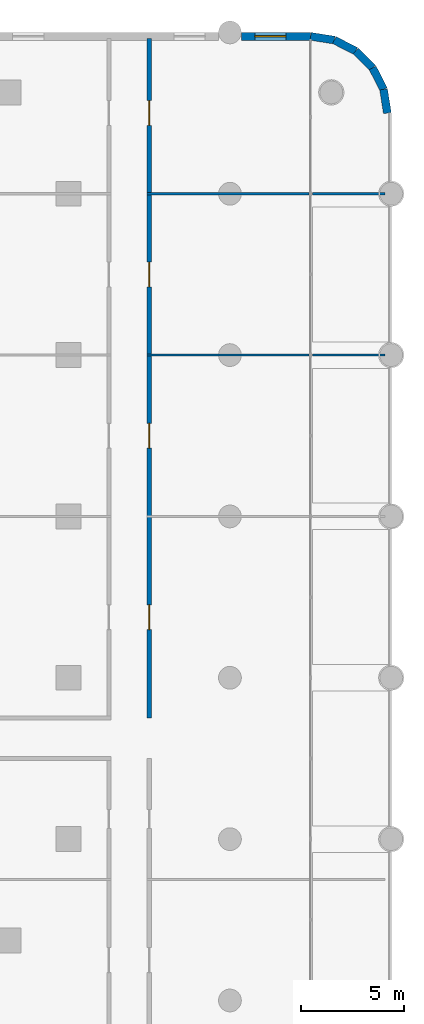
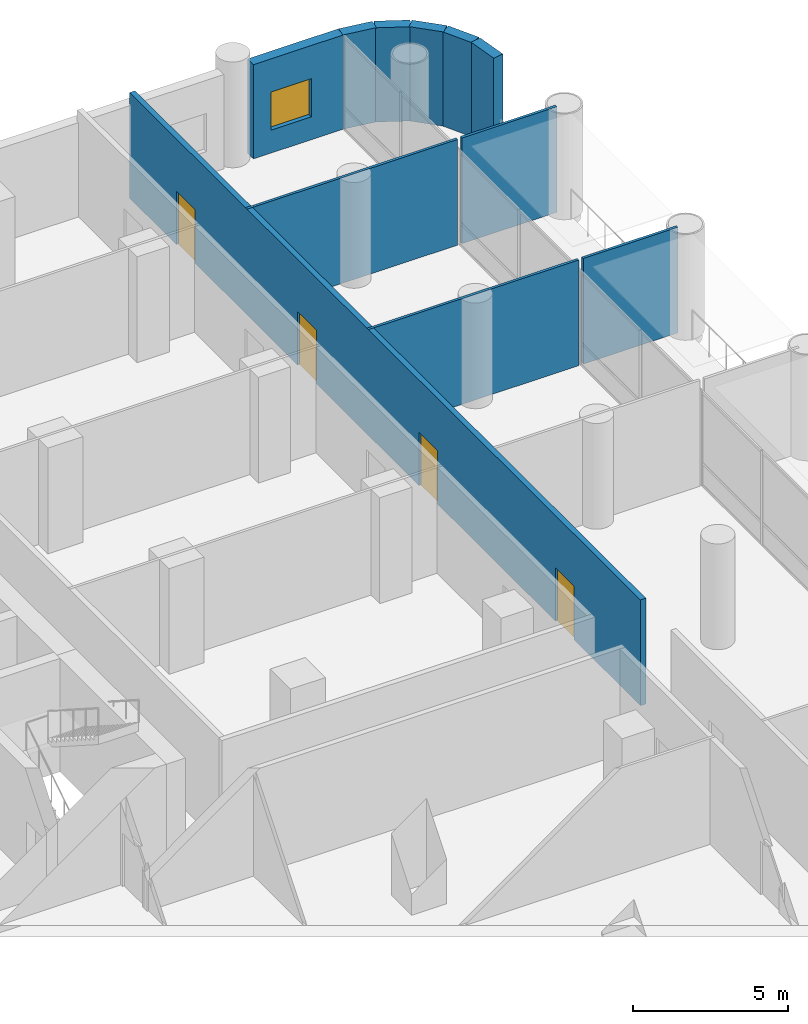
# One storey, part 15 of 23: 11 walls, 4 doors, 1 window, 5 openings.
"""IFC4 building model written with IfcOpenShell, lengths in metres."""

from ifc_helpers import new_model, si_unit, direction, frame, frame_2d, origin, place, context, subcontext, project, spatial, rectangle, extrude, material, layer, layer_set, type_object, element, fill, save


model = new_model("IFC4")

# Units and contexts
model_context = context("Model", 3, precision=1e-05, world=origin(), true_north=direction((0.0, 1.0)))
body_context = subcontext(model_context, "Body", "Model", "MODEL_VIEW")
ifc_project = project(units=[si_unit("LENGTHUNIT", "METRE"), si_unit("AREAUNIT", "SQUARE_METRE"), si_unit("VOLUMEUNIT", "CUBIC_METRE"), si_unit("PLANEANGLEUNIT", "RADIAN"), si_unit("MASSUNIT", "GRAM", prefix="KILO")], contexts=[model_context])

# Site, building, storey
site_placement = place(None, origin())
site = spatial("IfcSite", under=ifc_project, at=site_placement, CompositionType="ELEMENT")
building_placement = place(site_placement, origin())
building = spatial("IfcBuilding", under=site, at=building_placement, Name="Ludao Terraces", CompositionType="ELEMENT")
storey_placement = place(building_placement, frame((0.0, 0.0, 10.5)))
storey = spatial("IfcBuildingStorey", under=building, at=storey_placement, Name="L02", CompositionType="ELEMENT", Elevation=10.5)

# Wall, opening, window
ifc_material_1 = material(Name="Granite cladding", Category="masonry")
ifc_layer_1 = layer(ifc_material_1, 0.06005859375, Category="stone")
ifc_material_2 = material(Name="Mineral wool")
ifc_layer_2 = layer(ifc_material_2, 0.06005859375)
ifc_material_3 = material(Name="Concrete C40", Category="concrete")
ifc_layer_3 = layer(ifc_material_3, 0.260009765625, Category="concrete")
ifc_layer_set_1 = layer_set([ifc_layer_1, ifc_layer_2, ifc_layer_3], Name="ENV Stone-clad wall 380")
wall_type_1 = type_object("IfcWallType", Name="ENV Stone-clad wall 380", PredefinedType="SOLIDWALL", material=ifc_layer_set_1)
wall_1_placement = place(storey_placement, frame((116.75, 88.2099609375, 0.0), z_axis=(0.0, 0.0, 1.0), x_axis=(1.0, 0.0, 0.0)))
wall_1 = element("IfcWall", 1, at=wall_1_placement, inside=storey, type_object=wall_type_1, Name="EW-L02-N8", PredefinedType="SOLIDWALL", context=body_context, shape_type="SweptSolid", body=[
    extrude(rectangle(XDim=3.35009765625, YDim=0.3798828125, at=frame_2d((1.675048828125, 0.0))), origin(), (0.0, 0.0, 1.0), 3.699951171875),
])
opening_1_placement = place(wall_1_placement, frame((0.64990234375, 0.0, 0.89990234375)))
opening_1 = element("IfcOpeningElement", 2, at=opening_1_placement, cuts=wall_1, Name="Opening W5", PredefinedType="OPENING", context=body_context, shape_type="SweptSolid", body=[
    extrude(rectangle(XDim=1.5, YDim=1.5, at=frame_2d((0.75, 0.75))), frame((0.0, 0.199951171875, 0.0), z_axis=(0.0, -1.0, 0.0), x_axis=(1.0, 0.0, 0.0)), (0.0, 0.0, 1.0), 0.39990234375),
])
ifc_material_4 = material(Name="Clear glass in aluminium frame", Category="aluminium")
ifc_layer_4 = layer(ifc_material_4, 0.06005859375)
ifc_layer_set_2 = layer_set([ifc_layer_4], Name="ENV Window W5 1500x1500")
window_type = type_object("IfcWindowType", Name="ENV Window W5 1500x1500", PartitioningType="SINGLE_PANEL", PredefinedType="WINDOW", material=ifc_layer_set_2)
window_placement = place(opening_1_placement, origin())
window = element("IfcWindow", 3, at=window_placement, inside=storey, type_object=window_type, Name="W-L02-N8-1", OverallHeight=1.5, OverallWidth=1.5, PartitioningType="SINGLE_PANEL", PredefinedType="WINDOW", context=body_context, shape_type="SweptSolid", body=[
    extrude(rectangle(XDim=1.5, YDim=1.5, at=frame_2d((0.75, 0.75))), frame((0.0, 0.030029296875, 0.0), z_axis=(0.0, -1.0, 0.0), x_axis=(1.0, 0.0, 0.0)), (0.0, 0.0, 1.0), 0.06005859375),
])
fill(opening_1, window)

# Walls
wall_2_placement = place(storey_placement, frame((123.81005859375, 84.5, 0.0), z_axis=(0.0, 0.0, 1.0), x_axis=(-0.156480971952, 0.987680973502, 0.0)))
element("IfcWall", 4, at=wall_2_placement, inside=storey, type_object=wall_type_1, Name="EW-L02-NE1", PredefinedType="SOLIDWALL", context=body_context, shape_type="SweptSolid", body=[
    extrude(rectangle(XDim=1.160888671875, YDim=0.3798828125, at=frame_2d((0.58056640625, 0.0))), origin(), (0.0, 0.0, 1.0), 3.699951171875),
])
wall_3_placement = place(storey_placement, frame((123.62841796875, 85.646484375, 0.0), z_axis=(0.0, 0.0, 1.0), x_axis=(-0.453932083539, 0.891036286317, 0.0)))
element("IfcWall", 5, at=wall_3_placement, inside=storey, type_object=wall_type_1, Name="EW-L02-NE2", PredefinedType="SOLIDWALL", context=body_context, shape_type="SweptSolid", body=[
    extrude(rectangle(XDim=1.16064453125, YDim=0.3798828125, at=frame_2d((0.580322265625, 0.0))), origin(), (0.0, 0.0, 1.0), 3.699951171875),
])
for number, where, z_axis, x_axis, name in (
    (6, (123.1015625, 86.6806640625, 0.0), (0.0, 0.0, 1.0), (-0.707106781187, 0.707106781187, 0.0), "EW-L02-NE3"),
    (7, (122.28076171875, 87.50146484375, 0.0), (0.0, 0.0, 1.0), (-0.891079617357, 0.453847017762, 0.0), "EW-L02-NE4"),
):
    element("IfcWall", number, at=place(storey_placement, frame(where, z_axis=z_axis, x_axis=x_axis)), inside=storey, type_object=wall_type_1, Name=name, PredefinedType="SOLIDWALL", context=body_context, shape_type="SweptSolid", body=[
        extrude(rectangle(XDim=1.160888671875, YDim=0.3798828125, at=frame_2d((0.58056640625, 0.0))), origin(), (0.0, 0.0, 1.0), 3.699951171875),
    ])
wall_4_placement = place(storey_placement, frame((121.246337890625, 88.0283203125, 0.0), z_axis=(0.0, 0.0, 1.0), x_axis=(-0.987675821844, 0.156513484867, 0.0)))
element("IfcWall", 8, at=wall_4_placement, inside=storey, type_object=wall_type_1, Name="EW-L02-NE5", PredefinedType="SOLIDWALL", context=body_context, shape_type="SweptSolid", body=[
    extrude(rectangle(XDim=1.16064453125, YDim=0.3798828125, at=frame_2d((0.580322265625, 0.0))), origin(), (0.0, 0.0, 1.0), 3.699951171875),
])

# Wall, openings, doors
ifc_material_5 = material(Name="Autoclaved aerated concrete block B06 A3.5", Category="concrete")
ifc_layer_5 = layer(ifc_material_5, 0.199951171875)
ifc_layer_set_3 = layer_set([ifc_layer_5], Name="INT Entrance wall 200")
wall_type_2 = type_object("IfcWallType", Name="INT Entrance wall 200", PredefinedType="PARTITIONING", material=ifc_layer_set_3)
wall_5_placement = place(storey_placement, frame((112.300048828125, 55.25, 0.0), z_axis=(0.0, 0.0, 1.0), x_axis=(0.0, 1.0, 0.0)))
wall_5 = element("IfcWall", 9, at=wall_5_placement, inside=storey, type_object=wall_type_2, Name="PW-L02-PW075", PredefinedType="PARTITIONING", context=body_context, shape_type="SweptSolid", body=[
    extrude(rectangle(XDim=32.85009765625, YDim=0.199951171875, at=frame_2d((16.425048828125, 0.0))), origin(), (0.0, 0.0, 1.0), 4.14990234375),
])
opening_2_placement = place(wall_5_placement, frame((4.275146484375, 0.0, 0.0)))
opening_2 = element("IfcOpeningElement", 10, at=opening_2_placement, cuts=wall_5, Name="Opening L02-031", PredefinedType="OPENING", context=body_context, shape_type="SweptSolid", body=[
    extrude(rectangle(XDim=1.199951171875, YDim=2.10009765625, at=frame_2d((0.60009765625, 1.050048828125))), frame((0.0, 0.10986328125, 0.0), z_axis=(0.0, -1.0, 0.0), x_axis=(1.0, 0.0, 0.0)), (0.0, 0.0, 1.0), 0.219970703125),
])
opening_3_placement = place(wall_5_placement, frame((13.050048828125, 0.0, 0.0)))
opening_3 = element("IfcOpeningElement", 11, at=opening_3_placement, cuts=wall_5, Name="Opening L02-043", PredefinedType="OPENING", context=body_context, shape_type="SweptSolid", body=[
    extrude(rectangle(XDim=1.199951171875, YDim=2.10009765625, at=frame_2d((0.60009765625, 1.050048828125))), frame((0.0, 0.10986328125, 0.0), z_axis=(0.0, -1.0, 0.0), x_axis=(1.0, 0.0, 0.0)), (0.0, 0.0, 1.0), 0.219970703125),
])
opening_4_placement = place(wall_5_placement, frame((20.85009765625, 0.0, 0.0)))
opening_4 = element("IfcOpeningElement", 12, at=opening_4_placement, cuts=wall_5, Name="Opening L02-061", PredefinedType="OPENING", context=body_context, shape_type="SweptSolid", body=[
    extrude(rectangle(XDim=1.199951171875, YDim=2.10009765625, at=frame_2d((0.60009765625, 1.050048828125))), frame((0.0, 0.10986328125, 0.0), z_axis=(0.0, -1.0, 0.0), x_axis=(1.0, 0.0, 0.0)), (0.0, 0.0, 1.0), 0.219970703125),
])
opening_5_placement = place(wall_5_placement, frame((28.650146484375, 0.0, 0.0)))
opening_5 = element("IfcOpeningElement", 13, at=opening_5_placement, cuts=wall_5, Name="Opening L02-073", PredefinedType="OPENING", context=body_context, shape_type="SweptSolid", body=[
    extrude(rectangle(XDim=1.199951171875, YDim=2.10009765625, at=frame_2d((0.60009765625, 1.050048828125))), frame((0.0, 0.10986328125, 0.0), z_axis=(0.0, -1.0, 0.0), x_axis=(1.0, 0.0, 0.0)), (0.0, 0.0, 1.0), 0.219970703125),
])
ifc_material_6 = material(Name="Timber door leaf", Category="wood")
door_type = type_object("IfcDoorType", Name="INT Double door 1200", OperationType="DOUBLE_DOOR_SINGLE_SWING", PredefinedType="DOOR", material=ifc_material_6)
door_1_placement = place(opening_2_placement, origin())
door_1 = element("IfcDoor", 14, at=door_1_placement, inside=storey, type_object=door_type, Name="DOOR 031", OperationType="DOUBLE_DOOR_SINGLE_SWING", OverallHeight=2.10009765625, OverallWidth=1.199951171875, PredefinedType="DOOR", context=body_context, shape_type="SweptSolid", body=[
    extrude(rectangle(XDim=1.199951171875, YDim=2.10009765625, at=frame_2d((0.60009765625, 1.050048828125))), frame((0.0, 0.02490234375, 0.0), z_axis=(0.0, -1.0, 0.0), x_axis=(1.0, 0.0, 0.0)), (0.0, 0.0, 1.0), 0.050048828125),
])
fill(opening_2, door_1)
door_2_placement = place(opening_3_placement, origin())
door_2 = element("IfcDoor", 15, at=door_2_placement, inside=storey, type_object=door_type, Name="DOOR 043", OperationType="DOUBLE_DOOR_SINGLE_SWING", OverallHeight=2.10009765625, OverallWidth=1.199951171875, PredefinedType="DOOR", context=body_context, shape_type="SweptSolid", body=[
    extrude(rectangle(XDim=1.199951171875, YDim=2.10009765625, at=frame_2d((0.60009765625, 1.050048828125))), frame((0.0, 0.02490234375, 0.0), z_axis=(0.0, -1.0, 0.0), x_axis=(1.0, 0.0, 0.0)), (0.0, 0.0, 1.0), 0.050048828125),
])
fill(opening_3, door_2)
door_3_placement = place(opening_4_placement, origin())
door_3 = element("IfcDoor", 16, at=door_3_placement, inside=storey, type_object=door_type, Name="DOOR 061", OperationType="DOUBLE_DOOR_SINGLE_SWING", OverallHeight=2.10009765625, OverallWidth=1.199951171875, PredefinedType="DOOR", context=body_context, shape_type="SweptSolid", body=[
    extrude(rectangle(XDim=1.199951171875, YDim=2.10009765625, at=frame_2d((0.60009765625, 1.050048828125))), frame((0.0, 0.02490234375, 0.0), z_axis=(0.0, -1.0, 0.0), x_axis=(1.0, 0.0, 0.0)), (0.0, 0.0, 1.0), 0.050048828125),
])
fill(opening_4, door_3)
door_4_placement = place(opening_5_placement, origin())
door_4 = element("IfcDoor", 17, at=door_4_placement, inside=storey, type_object=door_type, Name="DOOR 073", OperationType="DOUBLE_DOOR_SINGLE_SWING", OverallHeight=2.10009765625, OverallWidth=1.199951171875, PredefinedType="DOOR", context=body_context, shape_type="SweptSolid", body=[
    extrude(rectangle(XDim=1.199951171875, YDim=2.10009765625, at=frame_2d((0.60009765625, 1.050048828125))), frame((0.0, 0.02490234375, 0.0), z_axis=(0.0, -1.0, 0.0), x_axis=(1.0, 0.0, 0.0)), (0.0, 0.0, 1.0), 0.050048828125),
])
fill(opening_5, door_4)

# Walls
ifc_material_7 = material(Name="Gypsum plasterboard", Category="gypsum")
ifc_layer_6 = layer(ifc_material_7, 0.012451171875, Category="gypsum")
ifc_layer_7 = layer(ifc_material_2, 0.06005859375, Name="insulation")
ifc_material_8 = material(Name="Steel Q235", Category="steel")
ifc_layer_8 = layer(ifc_material_8, 0.014892578125, Name="stud")
ifc_layer_9 = layer(ifc_material_7, 0.012451171875, Category="gypsum")
ifc_layer_set_4 = layer_set([ifc_layer_6, ifc_layer_7, ifc_layer_8, ifc_layer_9], Name="INT Partition 100")
wall_type_3 = type_object("IfcWallType", Name="INT Partition 100", PredefinedType="PARTITIONING", material=ifc_layer_set_4)
wall_6_placement = place(storey_placement, frame((112.2001953125, 72.800048828125, 0.0), z_axis=(0.0, 0.0, 1.0), x_axis=(1.0, 0.0, 0.0)))
element("IfcWall", 18, at=wall_6_placement, inside=storey, type_object=wall_type_3, Name="PW-L02-PW040", PredefinedType="PARTITIONING", context=body_context, shape_type="SweptSolid", body=[
    extrude(rectangle(XDim=7.81982421875, YDim=0.10009765625, at=frame_2d((3.909912109375, 0.0))), origin(), (0.0, 0.0, 1.0), 4.14990234375),
])
wall_7_placement = place(storey_placement, frame((120.179931640625, 72.800048828125, 0.0), z_axis=(0.0, 0.0, 1.0), x_axis=(1.0, 0.0, 0.0)))
element("IfcWall", 19, at=wall_7_placement, inside=storey, type_object=wall_type_3, Name="PW-L02-PW041", PredefinedType="PARTITIONING", context=body_context, shape_type="SweptSolid", body=[
    extrude(rectangle(XDim=3.520263671875, YDim=0.10009765625, at=frame_2d((1.76025390625, 0.0))), origin(), (0.0, 0.0, 1.0), 4.14990234375),
])
wall_8_placement = place(storey_placement, frame((112.2001953125, 80.60009765625, 0.0), z_axis=(0.0, 0.0, 1.0), x_axis=(1.0, 0.0, 0.0)))
element("IfcWall", 20, at=wall_8_placement, inside=storey, type_object=wall_type_3, Name="PW-L02-PW047", PredefinedType="PARTITIONING", context=body_context, shape_type="SweptSolid", body=[
    extrude(rectangle(XDim=7.81982421875, YDim=0.10009765625, at=frame_2d((3.909912109375, 0.0))), origin(), (0.0, 0.0, 1.0), 4.14990234375),
])
wall_9_placement = place(storey_placement, frame((120.179931640625, 80.60009765625, 0.0), z_axis=(0.0, 0.0, 1.0), x_axis=(1.0, 0.0, 0.0)))
element("IfcWall", 21, at=wall_9_placement, inside=storey, type_object=wall_type_3, Name="PW-L02-PW048", PredefinedType="PARTITIONING", context=body_context, shape_type="SweptSolid", body=[
    extrude(rectangle(XDim=3.520263671875, YDim=0.10009765625, at=frame_2d((1.76025390625, 0.0))), origin(), (0.0, 0.0, 1.0), 4.14990234375),
])

save(model, "model.ifc")
